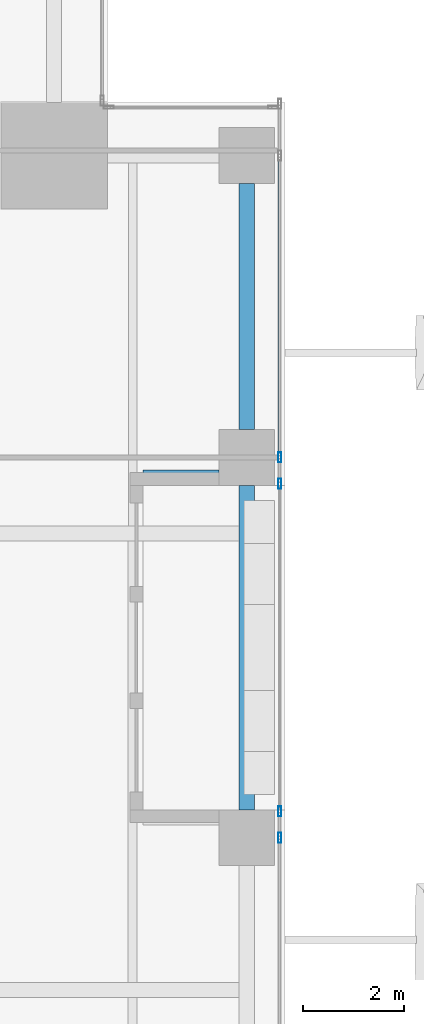
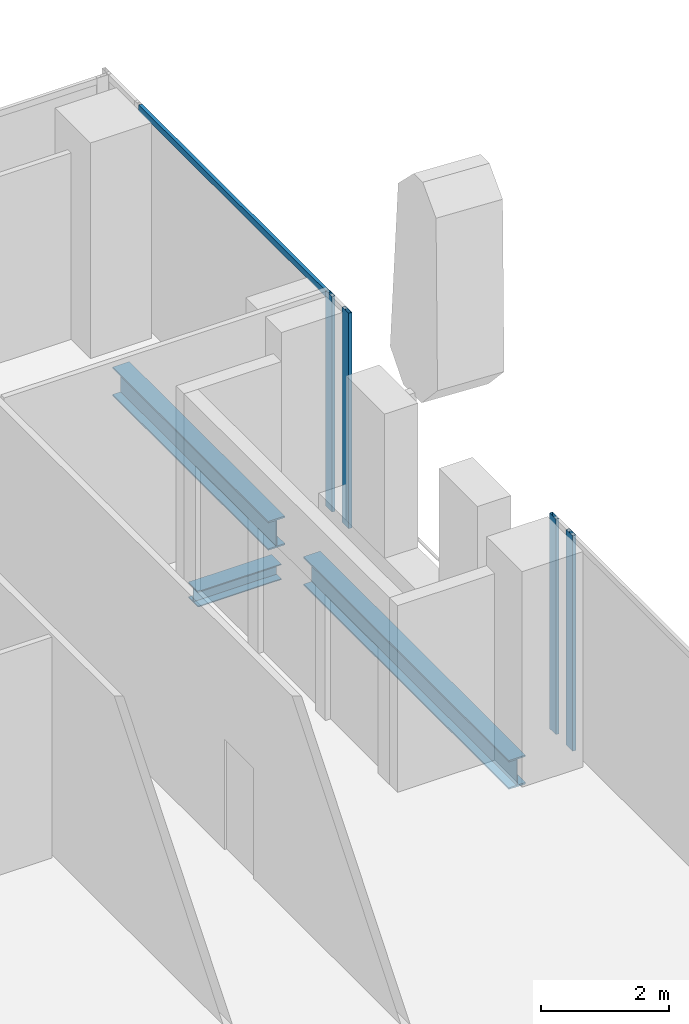
# One storey, part 19 of 35: 5 members, 3 beams, 2 elements without a shape of their own.
"""IFC4 building model written with IfcOpenShell, lengths in metres."""

from ifc_helpers import new_model, si_unit, direction, frame, origin, origin_2d, place, context, subcontext, project, spatial, hollow_rectangle, i_section, extrude, source, transform, mapped, material, material_profile, profile_set, type_object, element, aggregate, save


model = new_model("IFC4")

# Units and contexts
model_context = context("Model", 3, precision=1e-05, world=origin(), true_north=direction((0.0, 1.0)))
body_context = subcontext(model_context, "Body", "Model", "MODEL_VIEW")
ifc_project = project(units=[si_unit("LENGTHUNIT", "METRE"), si_unit("AREAUNIT", "SQUARE_METRE"), si_unit("VOLUMEUNIT", "CUBIC_METRE"), si_unit("PLANEANGLEUNIT", "RADIAN"), si_unit("MASSUNIT", "GRAM", prefix="KILO")], contexts=[model_context])

# Site, building, storey
site_placement = place(None, origin())
site = spatial("IfcSite", under=ifc_project, at=site_placement, CompositionType="ELEMENT")
building_placement = place(site_placement, origin())
building = spatial("IfcBuilding", under=site, at=building_placement, Name="Khomas Fold Tower", CompositionType="ELEMENT")
storey_placement = place(building_placement, frame((0.0, 0.0, 136.699951171875)))
storey = spatial("IfcBuildingStorey", under=building, at=storey_placement, Name="L29", CompositionType="ELEMENT", Elevation=136.699951171875)

# Beams
ifc_material_1 = material(Name="Steel S355", Category="steel")
ifc_material_profile_1 = material_profile(ifc_material_1, i_section(OverallWidth=0.300048828125, OverallDepth=0.550048828125, WebThickness=0.014892578125, FlangeThickness=0.029052734375, at=origin_2d()), Name="HE 550 B")
ifc_profile_set_1 = profile_set([ifc_material_profile_1], Name="Steel S355")
beam_type_1 = type_object("IfcBeamType", Name="HE 550 B spandrel SB2", PredefinedType="SPANDREL", material=ifc_profile_set_1)
shared_shape_1 = source(origin(), body_context, "Body", "SweptSolid", [
    extrude(i_section(OverallWidth=0.300048828125, OverallDepth=0.550048828125, WebThickness=0.014892578125, FlangeThickness=0.029052734375, at=origin_2d()), origin(), (0.0, 0.0, 1.0), 4.849853515625),
])
beam_1_placement = place(storey_placement, frame((51.75, 42.550048828125, -0.574951171875), z_axis=(0.0, 1.0, 0.0), x_axis=(-1.0, 0.0, 0.0)))
element("IfcBeam", 1, at=beam_1_placement, inside=storey, type_object=beam_type_1, Name="SB2", PredefinedType="SPANDREL", context=body_context, shape_type="MappedRepresentation", body=[
    mapped(shared_shape_1, transform((0.0, 0.0, 0.0))),
])
shared_shape_2 = source(origin(), body_context, "Body", "SweptSolid", [
    extrude(i_section(OverallWidth=0.300048828125, OverallDepth=0.550048828125, WebThickness=0.014892578125, FlangeThickness=0.029052734375, at=origin_2d()), origin(), (0.0, 0.0, 1.0), 6.39990234375),
])
beam_2_placement = place(storey_placement, frame((51.75, 35.050048828125, -0.574951171875), z_axis=(0.0, 1.0, 0.0), x_axis=(-1.0, 0.0, 0.0)))
element("IfcBeam", 2, at=beam_2_placement, inside=storey, type_object=beam_type_1, Name="SB2", PredefinedType="SPANDREL", context=body_context, shape_type="MappedRepresentation", body=[
    mapped(shared_shape_2, transform((0.0, 0.0, 0.0))),
])
ifc_material_2 = material(Name="Steel S355", Category="steel")
ifc_material_profile_2 = material_profile(ifc_material_2, i_section(OverallWidth=0.300048828125, OverallDepth=0.300048828125, WebThickness=0.010986328125, FlangeThickness=0.01904296875, at=origin_2d()), Name="HE 300 B")
ifc_profile_set_2 = profile_set([ifc_material_profile_2], Name="Steel S355")
beam_type_2 = type_object("IfcBeamType", Name="HE 300 B beam BB1", PredefinedType="BEAM", material=ifc_profile_set_2)
shared_shape_3 = source(origin(), body_context, "Body", "SweptSolid", [
    extrude(i_section(OverallWidth=0.300048828125, OverallDepth=0.300048828125, WebThickness=0.010986328125, FlangeThickness=0.01904296875, at=origin_2d()), origin(), (0.0, 0.0, 1.0), 1.5),
])
beam_3_placement = place(storey_placement, frame((49.699951171875, 41.60009765625, -0.449951171875), z_axis=(1.0, 0.0, 0.0), x_axis=(0.0, 1.0, 0.0)))
element("IfcBeam", 3, at=beam_3_placement, inside=storey, type_object=beam_type_2, Name="BB1", PredefinedType="BEAM", context=body_context, shape_type="MappedRepresentation", body=[
    mapped(shared_shape_3, transform((0.0, 0.0, 0.0))),
])

# Curtain wall, members
ifc_material_3 = material(Name="Aluminium framed double glazing", Category="aluminium")
curtain_wall_type = type_object("IfcCurtainWallType", Name="SK-Unitised clear-glass wall, growing floors CW1", PredefinedType="NOTDEFINED", material=ifc_material_3)
curtain_wall_1_placement = place(storey_placement, origin())
curtain_wall_1 = element("IfcCurtainWall", 4, at=curtain_wall_1_placement, inside=storey, type_object=curtain_wall_type, Name="CW1 run L29 03-0", PredefinedType="NOTDEFINED")
ifc_material_4 = material(Name="Aluminium", Category="aluminium")
ifc_material_profile_3 = material_profile(ifc_material_4, hollow_rectangle(XDim=0.06005859375, YDim=0.199951171875, WallThickness=0.00390625, at=origin_2d()), Name="SK-Unitised clear-glass wall, growing floors mullion CW1-M")
ifc_profile_set_3 = profile_set([ifc_material_profile_3], Name="Aluminium")
member_type_1 = type_object("IfcMemberType", Name="SK-Unitised clear-glass wall, growing floors mullion CW1-M", PredefinedType="MULLION", material=ifc_profile_set_3)
shared_shape_4 = source(origin(), body_context, "Body", "SweptSolid", [
    extrude(hollow_rectangle(XDim=0.06005859375, YDim=0.199951171875, WallThickness=0.00390625, at=origin_2d()), origin(), (0.0, 0.0, 1.0), 4.10009765625),
])
member_1_placement = place(storey_placement, frame((52.39990234375, 34.5, 0.0), z_axis=(0.0, 0.0, 1.0), x_axis=(-1.0, 0.0, 0.0)))
member_1 = element("IfcMember", 5, at=member_1_placement, type_object=member_type_1, Name="CW1 mullion 6", PredefinedType="MULLION", context=body_context, shape_type="MappedRepresentation", body=[
    mapped(shared_shape_4, transform((0.0, 0.0, 0.0))),
])
member_2_placement = place(storey_placement, frame((52.39990234375, 35.02001953125, 0.0), z_axis=(0.0, 0.0, 1.0), x_axis=(-1.0, 0.0, 0.0)))
member_2 = element("IfcMember", 6, at=member_2_placement, type_object=member_type_1, Name="CW1 mullion 7", PredefinedType="MULLION", context=body_context, shape_type="MappedRepresentation", body=[
    mapped(shared_shape_4, transform((0.0, 0.0, 0.0))),
])
aggregate(curtain_wall_1, [member_1, member_2])

curtain_wall_2_placement = place(storey_placement, origin())
curtain_wall_2 = element("IfcCurtainWall", 7, at=curtain_wall_2_placement, inside=storey, type_object=curtain_wall_type, Name="CW1 run L29 03-1", PredefinedType="NOTDEFINED")
member_3_placement = place(storey_placement, frame((52.39990234375, 41.47998046875, 0.0), z_axis=(0.0, 0.0, 1.0), x_axis=(-1.0, 0.0, 0.0)))
member_3 = element("IfcMember", 8, at=member_3_placement, type_object=member_type_1, Name="CW1 mullion 1", PredefinedType="MULLION", context=body_context, shape_type="MappedRepresentation", body=[
    mapped(shared_shape_4, transform((0.0, 0.0, 0.0))),
])
member_4_placement = place(storey_placement, frame((52.39990234375, 42.0, 0.0), z_axis=(0.0, 0.0, 1.0), x_axis=(-1.0, 0.0, 0.0)))
member_4 = element("IfcMember", 9, at=member_4_placement, type_object=member_type_1, Name="CW1 mullion 2", PredefinedType="MULLION", context=body_context, shape_type="MappedRepresentation", body=[
    mapped(shared_shape_4, transform((0.0, 0.0, 0.0))),
])
ifc_material_5 = material(Name="Aluminium", Category="aluminium")
ifc_material_profile_4 = material_profile(ifc_material_5, hollow_rectangle(XDim=0.06005859375, YDim=0.1201171875, WallThickness=0.00390625, at=origin_2d()), Name="SK-Unitised clear-glass wall, growing floors transom CW1-T")
ifc_profile_set_4 = profile_set([ifc_material_profile_4], Name="Aluminium")
member_type_2 = type_object("IfcMemberType", Name="SK-Unitised clear-glass wall, growing floors transom CW1-T", PredefinedType="USERDEFINED", material=ifc_profile_set_4)
shared_shape_5 = source(origin(), body_context, "Body", "SweptSolid", [
    extrude(hollow_rectangle(XDim=0.06005859375, YDim=0.1201171875, WallThickness=0.00390625, at=origin_2d()), origin(), (0.0, 0.0, 1.0), 5.889892578125),
])
member_5_placement = place(storey_placement, frame((52.39990234375, 42.030029296875, 4.0400390625), z_axis=(0.0, 1.0, 0.0), x_axis=(-1.0, 0.0, 0.0)))
member_5 = element("IfcMember", 10, at=member_5_placement, type_object=member_type_2, Name="CW1 transom 2", ObjectType="TRANSOM", PredefinedType="USERDEFINED", context=body_context, shape_type="MappedRepresentation", body=[
    mapped(shared_shape_5, transform((0.0, 0.0, 0.0))),
])
aggregate(curtain_wall_2, [member_3, member_4, member_5])

save(model, "model.ifc")
